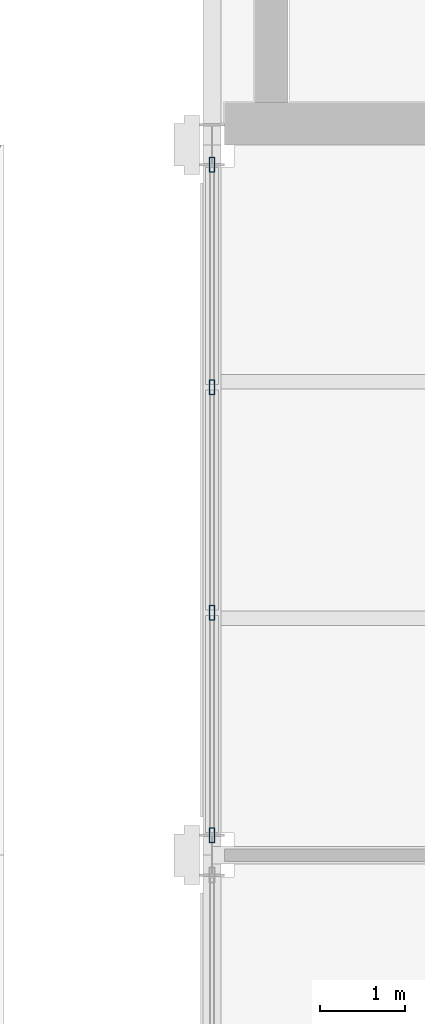
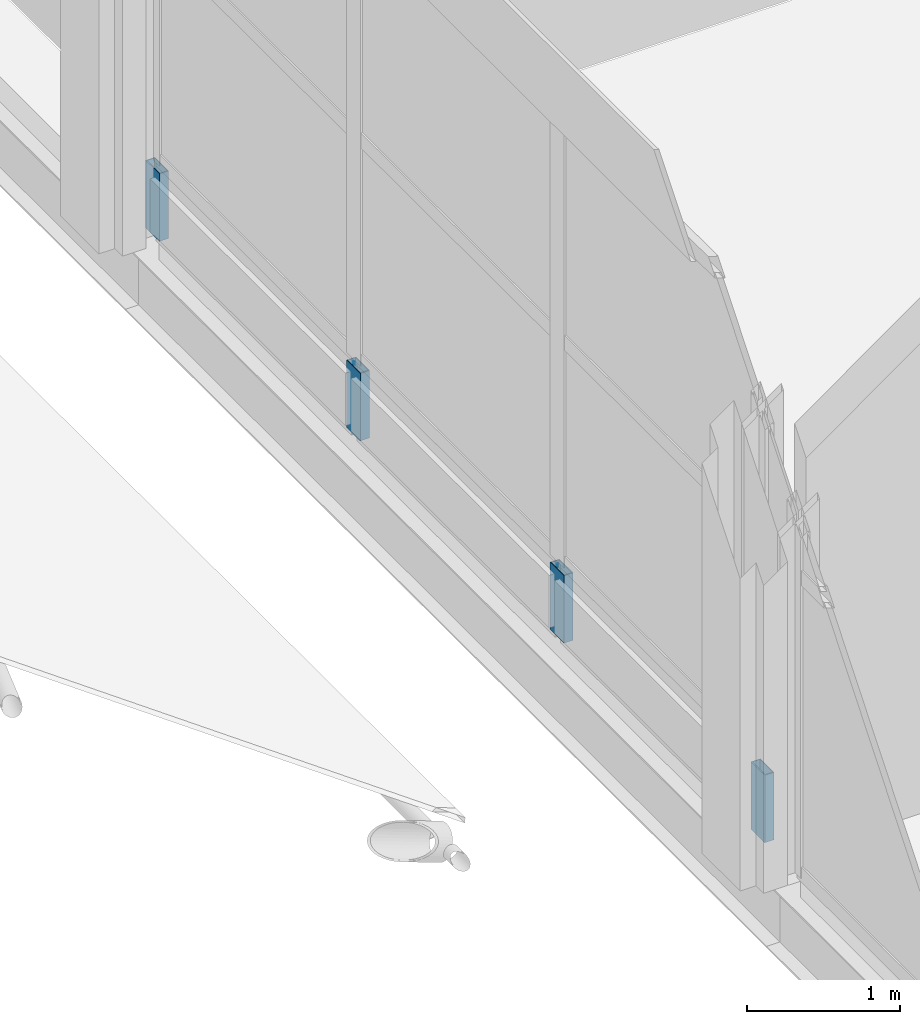
# One storey, part 141 of 167: 4 members, 1 element without a shape of its own.
"""IFC4 building model written with IfcOpenShell, lengths in metres."""

from ifc_helpers import new_model, si_unit, direction, frame, origin, origin_2d, place, context, subcontext, project, spatial, hollow_rectangle, extrude, material, material_profile, profile_set, type_object, element, aggregate, save


model = new_model("IFC4")

# Units and contexts
model_context = context("Model", 3, precision=1e-05, world=origin(), true_north=direction((0.0, 1.0)))
body_context = subcontext(model_context, "Body", "Model", "MODEL_VIEW")
ifc_project = project(units=[si_unit("LENGTHUNIT", "METRE"), si_unit("AREAUNIT", "SQUARE_METRE"), si_unit("VOLUMEUNIT", "CUBIC_METRE"), si_unit("PLANEANGLEUNIT", "RADIAN"), si_unit("MASSUNIT", "GRAM", prefix="KILO")], contexts=[model_context])

# Site, building, storey
site_placement = place(None, origin())
site = spatial("IfcSite", under=ifc_project, at=site_placement, CompositionType="ELEMENT")
building_placement = place(site_placement, origin())
building = spatial("IfcBuilding", under=site, at=building_placement, Name="Catenary Quay Ferry Terminal", CompositionType="ELEMENT")
storey_placement = place(building_placement, frame((0.0, 0.0, 6.0)))
storey = spatial("IfcBuildingStorey", under=building, at=storey_placement, Name="L01", CompositionType="ELEMENT", Elevation=6.0)

# Curtain wall, members
ifc_material_1 = material(Name="Aluminium and glass", Category="aluminium")
curtain_wall_type = type_object("IfcCurtainWallType", Name="CWW4", PredefinedType="NOTDEFINED", material=ifc_material_1)
curtain_wall_placement = place(storey_placement, origin())
curtain_wall = element("IfcCurtainWall", 1, at=curtain_wall_placement, inside=storey, type_object=curtain_wall_type, Name="Wing base curtain wall CW174", PredefinedType="NOTDEFINED")
ifc_material_2 = material(Name="Aluminium", Category="aluminium")
ifc_material_profile = material_profile(ifc_material_2, hollow_rectangle(XDim=0.070068359375, YDim=0.179931640625, WallThickness=0.006103515625, at=origin_2d()), Name="MU3")
ifc_profile_set = profile_set([ifc_material_profile], Name="Aluminium")
member_type = type_object("IfcMemberType", Name="MU3", PredefinedType="MULLION", material=ifc_profile_set)
member_1_placement = place(storey_placement, frame((25.199951171875, 193.43505859375, 0.0), z_axis=(0.0, 0.0, 1.0), x_axis=(-1.0, 0.0, 0.0)))
member_1 = element("IfcMember", 2, at=member_1_placement, type_object=member_type, Name="CW174 mullion 1", PredefinedType="MULLION", context=body_context, shape_type="SweptSolid", body=[
    extrude(hollow_rectangle(XDim=0.070068359375, YDim=0.179931640625, WallThickness=0.006103515625, at=origin_2d()), origin(), (0.0, 0.0, 1.0), 0.5400390625),
])
member_2_placement = place(storey_placement, frame((25.199951171875, 196.066650390625, 0.0), z_axis=(0.0, 0.0, 1.0), x_axis=(-1.0, 0.0, 0.0)))
member_2 = element("IfcMember", 3, at=member_2_placement, type_object=member_type, Name="CW174 mullion 2", PredefinedType="MULLION", context=body_context, shape_type="SweptSolid", body=[
    extrude(hollow_rectangle(XDim=0.070068359375, YDim=0.179931640625, WallThickness=0.006103515625, at=origin_2d()), origin(), (0.0, 0.0, 1.0), 0.5400390625),
])
member_3_placement = place(storey_placement, frame((25.199951171875, 198.7333984375, 0.0), z_axis=(0.0, 0.0, 1.0), x_axis=(-1.0, 0.0, 0.0)))
member_3 = element("IfcMember", 4, at=member_3_placement, type_object=member_type, Name="CW174 mullion 3", PredefinedType="MULLION", context=body_context, shape_type="SweptSolid", body=[
    extrude(hollow_rectangle(XDim=0.070068359375, YDim=0.179931640625, WallThickness=0.006103515625, at=origin_2d()), origin(), (0.0, 0.0, 1.0), 0.5400390625),
])
member_4_placement = place(storey_placement, frame((25.199951171875, 201.364990234375, 0.0), z_axis=(0.0, 0.0, 1.0), x_axis=(-1.0, 0.0, 0.0)))
member_4 = element("IfcMember", 5, at=member_4_placement, type_object=member_type, Name="CW174 mullion 4", PredefinedType="MULLION", context=body_context, shape_type="SweptSolid", body=[
    extrude(hollow_rectangle(XDim=0.070068359375, YDim=0.179931640625, WallThickness=0.006103515625, at=origin_2d()), origin(), (0.0, 0.0, 1.0), 0.5400390625),
])
aggregate(curtain_wall, [member_1, member_2, member_3, member_4])

save(model, "model.ifc")
